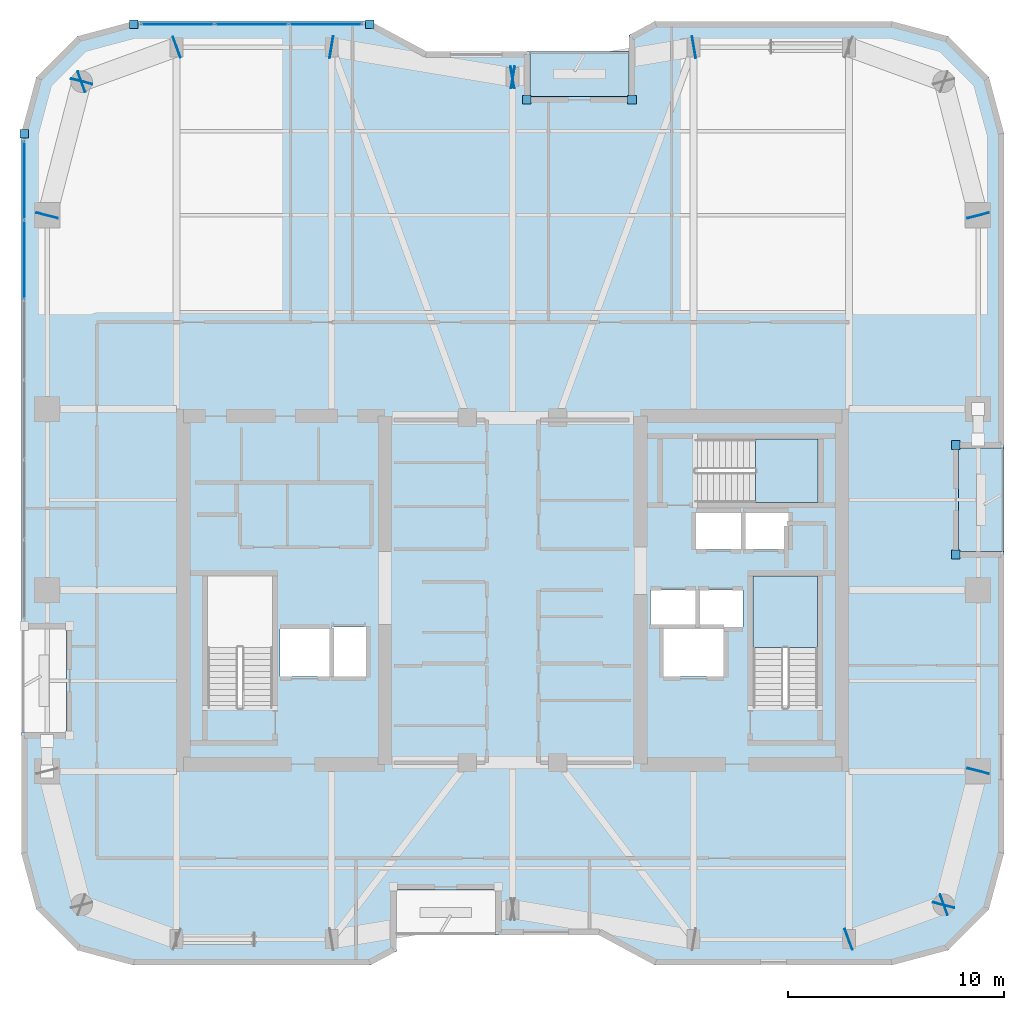
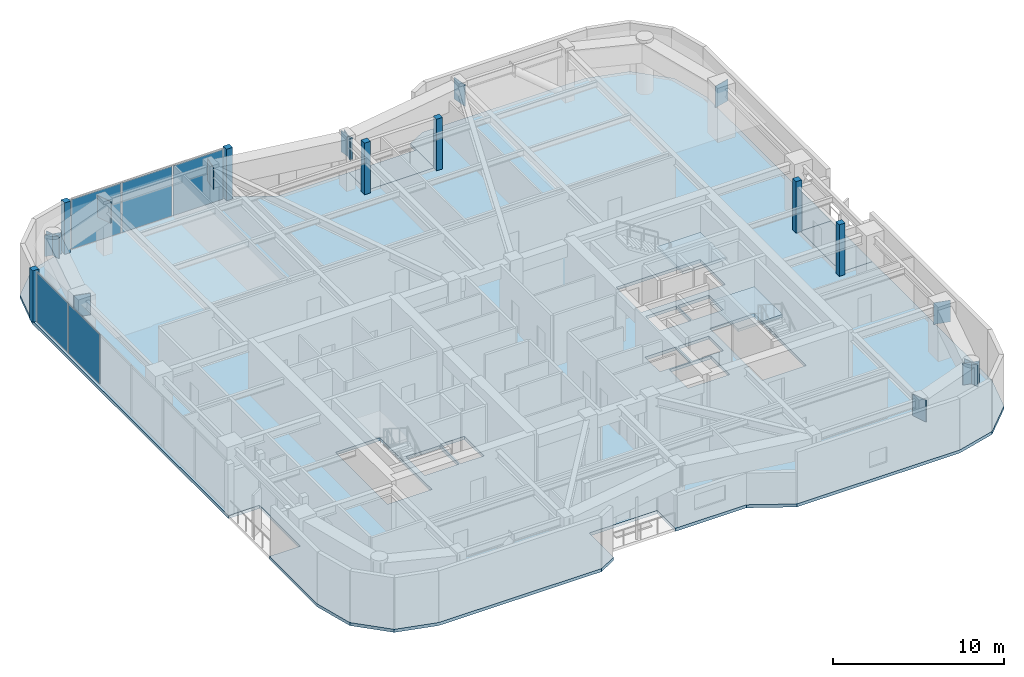
# One storey, part 13 of 21: 25 plates, 5 slabs, 4 elements without a shape of their own.
"""IFC4 building model written with IfcOpenShell, lengths in metres."""

from ifc_helpers import new_model, si_unit, direction, frame, origin, origin_2d, place, context, subcontext, project, spatial, polyline, rectangle, outline, extrude, material, layer, layer_set, type_object, element, aggregate, save


model = new_model("IFC4")

# Units and contexts
model_context = context("Model", 3, precision=1e-05, world=origin(), true_north=direction((0.0, 1.0)))
body_context = subcontext(model_context, "Body", "Model", "MODEL_VIEW")
ifc_project = project(units=[si_unit("LENGTHUNIT", "METRE"), si_unit("AREAUNIT", "SQUARE_METRE"), si_unit("VOLUMEUNIT", "CUBIC_METRE"), si_unit("PLANEANGLEUNIT", "RADIAN"), si_unit("MASSUNIT", "GRAM", prefix="KILO")], contexts=[model_context])

# Site, building, storey
site_placement = place(None, origin())
site = spatial("IfcSite", under=ifc_project, at=site_placement, CompositionType="ELEMENT")
building_placement = place(site_placement, origin())
building = spatial("IfcBuilding", under=site, at=building_placement, Name="Kiyonajd Concourse Tower", CompositionType="ELEMENT")
storey_placement = place(building_placement, frame((0.0, 0.0, 223.199951171875)))
storey = spatial("IfcBuildingStorey", under=building, at=storey_placement, Name="L56", CompositionType="ELEMENT", Elevation=223.199951171875)

# Plates
ifc_material_1 = material(Name="Steel ASTM A572 Grade 50", Category="steel")
ifc_layer_1 = layer(ifc_material_1, 0.031982421875)
ifc_layer_set_1 = layer_set([ifc_layer_1], Name="Steel ASTM A572 Grade 50")
plate_type_1 = type_object("IfcPlateType", Name="PL-CAP-540", PredefinedType="USERDEFINED", material=ifc_layer_set_1)
for number, where, z_axis, x_axis, name in (
    (1, (63.589599609375, 19.796142578125, 2.2099609375), (0.0, 0.0, 1.0), (-0.939811951086, -0.341692107891, 0.0), "L56 Welded Box Girder End Cap"),
    (2, (68.01025390625, 21.40380859375, 2.2099609375), (0.0, 0.0, 1.0), (0.939811951086, 0.341692107891, 0.0), "L56 Welded Box Girder End Cap"),
    (3, (67.997314453125, 21.389404296875, 2.2099609375), (0.0, 0.0, 1.0), (-0.249873048837, -0.968278606324, 0.0), "L56 Welded Box Girder End Cap"),
    (4, (69.602783203125, 27.610595703125, 2.2099609375), (0.0, 0.0, 1.0), (0.249873048837, 0.968278606324, 0.0), "L56 Welded Box Girder End Cap"),
    (5, (69.602783203125, 53.389404296875, 2.2099609375), (0.0, 0.0, 1.0), (0.249873048837, -0.968278606324, 0.0), "L56 Welded Box Girder End Cap"),
    (6, (56.410888671875, 61.201904296875, 2.2099609375), (0.0, 0.0, 1.0), (0.986400586142, 0.164359008451, 0.0), "L56 Welded Box Girder End Cap"),
    (7, (47.989013671875, 59.798095703125, 2.2099609375), (0.0, 0.0, 1.0), (-0.986400586142, -0.164359008451, 0.0), "L56 Welded Box Girder End Cap"),
    (8, (48.010986328125, 59.798095703125, 2.2099609375), (0.0, 0.0, 1.0), (0.986400586142, -0.164359008451, 0.0), "L56 Welded Box Girder End Cap"),
    (9, (39.589111328125, 61.201904296875, 2.2099609375), (0.0, 0.0, 1.0), (-0.986400586142, 0.164359008451, 0.0), "L56 Welded Box Girder End Cap"),
    (10, (32.410400390625, 61.203857421875, 2.2099609375), (0.0, 0.0, 1.0), (0.939811951086, 0.341692107891, 0.0), "L56 Welded Box Girder End Cap"),
    (11, (27.98974609375, 59.59619140625, 2.2099609375), (0.0, 0.0, 1.0), (-0.939811951086, -0.341692107891, 0.0), "L56 Welded Box Girder End Cap"),
    (12, (28.002685546875, 59.610595703125, 2.2099609375), (0.0, 0.0, 1.0), (0.249873048837, 0.968278606324, 0.0), "L56 Welded Box Girder End Cap"),
    (13, (26.397216796875, 53.389404296875, 2.2099609375), (0.0, 0.0, 1.0), (-0.249873048837, -0.968278606324, 0.0), "L56 Welded Box Girder End Cap"),
):
    element("IfcPlate", number, at=place(storey_placement, frame(where, z_axis=z_axis, x_axis=x_axis)), inside=storey, type_object=plate_type_1, Name=name, ObjectType="CAP PLATE", PredefinedType="USERDEFINED", context=body_context, shape_type="SweptSolid", body=[
        extrude(rectangle(XDim=0.035888671875, YDim=1.02001953125, at=origin_2d()), origin(), (0.0, 0.0, 1.0), 1.5400390625),
    ])

# Curtain wall, plates
ifc_material_2 = material(Name="Thermally Broken Anodised Aluminium", Category="aluminium")
ifc_layer_2 = layer(ifc_material_2, 0.179931640625)
ifc_layer_set_2 = layer_set([ifc_layer_2], Name="Thermally Broken Anodised Aluminium")
curtain_wall_type = type_object("IfcCurtainWallType", Name="CW-SYS-04", PredefinedType="NOTDEFINED", material=ifc_layer_set_2)
curtain_wall_1_placement = place(storey_placement, origin())
curtain_wall_1 = element("IfcCurtainWall", 14, at=curtain_wall_1_placement, inside=storey, type_object=curtain_wall_type, Name="L56 Unitised Curtain Wall CW4", PredefinedType="NOTDEFINED")
ifc_material_3 = material(Name="Double Low-E Insulated Glass", Category="glass")
ifc_layer_3 = layer(ifc_material_3, 0.033935546875)
ifc_layer_set_3 = layer_set([ifc_layer_3], Name="Double Low-E Insulated Glass")
plate_type_2 = type_object("IfcPlateType", Name="PL-CW-VIS34", PredefinedType="CURTAIN_PANEL", material=ifc_layer_set_3)
plate_1_placement = place(storey_placement, frame((25.340087890625, 51.326171875, 0.06494140625), z_axis=(0.0, 0.0, 1.0), x_axis=(0.0, 1.0, 0.0)))
plate_1 = element("IfcPlate", 15, at=plate_1_placement, type_object=plate_type_2, Name="CW4 panel 5.1", PredefinedType="CURTAIN_PANEL", context=body_context, shape_type="SweptSolid", body=[
    extrude(rectangle(XDim=3.645263671875, YDim=0.033935546875, at=origin_2d()), origin(), (0.0, 0.0, 1.0), 3.550048828125),
])
plate_2_placement = place(storey_placement, frame((25.340087890625, 55.020263671875, 0.06494140625), z_axis=(0.0, 0.0, 1.0), x_axis=(0.0, 1.0, 0.0)))
plate_2 = element("IfcPlate", 16, at=plate_2_placement, type_object=plate_type_2, Name="CW4 panel 6.1", PredefinedType="CURTAIN_PANEL", context=body_context, shape_type="SweptSolid", body=[
    extrude(rectangle(XDim=3.61279296875, YDim=0.033935546875, at=origin_2d()), origin(), (0.0, 0.0, 1.0), 3.550048828125),
])
aggregate(curtain_wall_1, [plate_1, plate_2])

curtain_wall_2_placement = place(storey_placement, origin())
curtain_wall_2 = element("IfcCurtainWall", 17, at=curtain_wall_2_placement, inside=storey, type_object=curtain_wall_type, Name="L56 Unitised Curtain Wall CW4", PredefinedType="NOTDEFINED")
plate_3_placement = place(storey_placement, frame((32.452392578125, 62.260009765625, 0.06494140625), z_axis=(0.0, 0.0, 1.0), x_axis=(1.0, 0.0, 0.0)))
plate_3 = element("IfcPlate", 18, at=plate_3_placement, type_object=plate_type_2, Name="CW4 panel 1.1", PredefinedType="CURTAIN_PANEL", context=body_context, shape_type="SweptSolid", body=[
    extrude(rectangle(XDim=3.35791015625, YDim=0.033935546875, at=origin_2d()), origin(), (0.0, 0.0, 1.0), 3.550048828125),
])
plate_4_placement = place(storey_placement, frame((35.8916015625, 62.260009765625, 0.06494140625), z_axis=(0.0, 0.0, 1.0), x_axis=(1.0, 0.0, 0.0)))
plate_4 = element("IfcPlate", 19, at=plate_4_placement, type_object=plate_type_2, Name="CW4 panel 2.1", PredefinedType="CURTAIN_PANEL", context=body_context, shape_type="SweptSolid", body=[
    extrude(rectangle(XDim=3.390380859375, YDim=0.033935546875, at=origin_2d()), origin(), (0.0, 0.0, 1.0), 3.550048828125),
])
plate_5_placement = place(storey_placement, frame((39.330810546875, 62.260009765625, 0.06494140625), z_axis=(0.0, 0.0, 1.0), x_axis=(1.0, 0.0, 0.0)))
plate_5 = element("IfcPlate", 20, at=plate_5_placement, type_object=plate_type_2, Name="CW4 panel 3.1", PredefinedType="CURTAIN_PANEL", context=body_context, shape_type="SweptSolid", body=[
    extrude(rectangle(XDim=3.35791015625, YDim=0.033935546875, at=origin_2d()), origin(), (0.0, 0.0, 1.0), 3.550048828125),
])
aggregate(curtain_wall_2, [plate_3, plate_4, plate_5])

# Plates
ifc_layer_4 = layer(ifc_material_2, 0.39990234375)
ifc_layer_set_4 = layer_set([ifc_layer_4], Name="Thermally Broken Anodised Aluminium")
plate_type_3 = type_object("IfcPlateType", Name="PL-JMB-400", PredefinedType="USERDEFINED", material=ifc_layer_set_4)
for number, where, z_axis, x_axis, name in (
    (21, (25.340087890625, 57.181640625, 0.0), (0.0, 0.0, 1.0), (1.0, 0.0, 0.0), "L56 Facade Jamb Closure Plate 04"),
    (22, (30.41845703125, 62.260009765625, 0.0), (0.0, 0.0, 1.0), (1.0, 0.0, 0.0), "L56 Facade Jamb Closure Plate 05"),
    (23, (41.36474609375, 62.260009765625, 0.0), (0.0, 0.0, 1.0), (1.0, 0.0, 0.0), "L56 Facade Jamb Closure Plate 06"),
    (24, (48.659912109375, 58.760009765625, 0.0), (0.0, 0.0, 1.0), (1.0, 0.0, 0.0), "L56 Facade Jamb Closure Plate 07"),
    (25, (53.5400390625, 58.760009765625, 0.0), (0.0, 0.0, 1.0), (1.0, 0.0, 0.0), "L56 Facade Jamb Closure Plate 08"),
    (26, (68.56005859375, 42.739990234375, 0.0), (0.0, 0.0, 1.0), (1.0, 0.0, 0.0), "L56 Facade Jamb Closure Plate 09"),
    (27, (68.56005859375, 37.659912109375, 0.0), (0.0, 0.0, 1.0), (1.0, 0.0, 0.0), "L56 Facade Jamb Closure Plate 10"),
):
    element("IfcPlate", number, at=place(storey_placement, frame(where, z_axis=z_axis, x_axis=x_axis)), inside=storey, type_object=plate_type_3, Name=name, ObjectType="JAMB PLATE", PredefinedType="USERDEFINED", context=body_context, shape_type="SweptSolid", body=[
        extrude(rectangle(XDim=0.39990234375, YDim=0.39990234375, at=origin_2d()), origin(), (0.0, 0.0, 1.0), 3.679931640625),
    ])

# Stair, slab
ifc_material_4 = material(Name="Concrete C40/50", Category="concrete")
stair_type = type_object("IfcStairType", Name="ST-DLG-22R", PredefinedType="HALF_TURN_STAIR", material=ifc_material_4)
stair_1_placement = place(storey_placement, origin())
stair_1 = element("IfcStair", 28, at=stair_1_placement, inside=storey, type_object=stair_type, Name="L56 Protected Exit Stair ST2", PredefinedType="HALF_TURN_STAIR")
ifc_layer_5 = layer(ifc_material_4, 0.199951171875)
ifc_layer_set_5 = layer_set([ifc_layer_5], Name="Concrete C40/50")
slab_type_1 = type_object("IfcSlabType", Name="SL-LND-200", PredefinedType="LANDING", material=ifc_layer_set_5)
slab_1_placement = place(storey_placement, frame((0.0, 0.0, 1.75)))
slab_1 = element("IfcSlab", 29, at=slab_1_placement, type_object=slab_type_1, Name="ST2 landing 1", PredefinedType="LANDING", context=body_context, shape_type="SweptSolid", body=[
    extrude(outline(polyline([(62.14990234375, 33.35009765625), (62.14990234375, 36.64990234375), (59.14990234375, 36.64990234375), (59.14990234375, 33.35009765625), (62.14990234375, 33.35009765625)])), origin(), (0.0, 0.0, 1.0), 0.199951171875),
])
aggregate(stair_1, [slab_1])

stair_2_placement = place(storey_placement, origin())
stair_2 = element("IfcStair", 30, at=stair_2_placement, inside=storey, type_object=stair_type, Name="L56 Protected Exit Stair ST3", PredefinedType="HALF_TURN_STAIR")
slab_2_placement = place(storey_placement, frame((0.0, 0.0, 1.75)))
slab_2 = element("IfcSlab", 31, at=slab_2_placement, type_object=slab_type_1, Name="ST3 landing 1", PredefinedType="LANDING", context=body_context, shape_type="SweptSolid", body=[
    extrude(outline(polyline([(59.280029296875, 40.080078125), (62.179931640625, 40.080078125), (62.179931640625, 43.02001953125), (59.280029296875, 43.02001953125), (59.280029296875, 40.080078125)])), origin(), (0.0, 0.0, 1.0), 0.199951171875),
])
aggregate(stair_2, [slab_2])

# Slabs
ifc_material_5 = material(Name="Precast concrete C50/60", Category="concrete")
ifc_layer_6 = layer(ifc_material_5, 0.199951171875)
ifc_layer_set_6 = layer_set([ifc_layer_6], Name="Precast concrete C50/60")
slab_type_2 = type_object("IfcSlabType", Name="SL-LOG-200", PredefinedType="FLOOR", material=ifc_layer_set_6)
slab_3_placement = place(storey_placement, frame((0.0, 0.0, -0.199951171875)))
element("IfcSlab", 32, at=slab_3_placement, inside=storey, type_object=slab_type_2, Name="L56 Recessed Engawa Loggia Terrace Slab LOG-N", PredefinedType="FLOOR", context=body_context, shape_type="SweptSolid", body=[
    extrude(outline(polyline([(48.800048828125, 58.89990234375), (53.39990234375, 58.89990234375), (53.39990234375, 61.0), (48.800048828125, 61.0), (48.800048828125, 58.89990234375)])), origin(), (0.0, 0.0, 1.0), 0.199951171875),
])
slab_4_placement = place(storey_placement, frame((0.0, 0.0, -0.199951171875)))
element("IfcSlab", 33, at=slab_4_placement, inside=storey, type_object=slab_type_2, Name="L56 Recessed Engawa Loggia Terrace Slab LOG-E", PredefinedType="FLOOR", context=body_context, shape_type="SweptSolid", body=[
    extrude(outline(polyline([(68.699951171875, 37.800048828125), (70.800048828125, 37.800048828125), (70.800048828125, 42.60009765625), (68.699951171875, 42.60009765625), (68.699951171875, 37.800048828125)])), origin(), (0.0, 0.0, 1.0), 0.199951171875),
])
ifc_layer_7 = layer(ifc_material_4, 0.219970703125)
ifc_layer_set_7 = layer_set([ifc_layer_7], Name="Concrete C40/50")
slab_type_3 = type_object("IfcSlabType", Name="SL-TWR-220", PredefinedType="FLOOR", material=ifc_layer_set_7)
slab_5_placement = place(storey_placement, frame((0.0, 0.0, -0.219970703125)))
element("IfcSlab", 34, at=slab_5_placement, inside=storey, type_object=slab_type_3, Name="L56 Tower Conditioned Floor Slab", PredefinedType="FLOOR", context=body_context, shape_type="SweptSolid", body=[
    extrude(outline(polyline([(25.89697265625, 21.199951171875), (25.199951171875, 23.800048828125), (25.199951171875, 29.39990234375), (27.300048828125, 29.39990234375), (27.300048828125, 34.199951171875), (25.199951171875, 34.199951171875), (25.199951171875, 57.199951171875), (25.89697265625, 59.800048828125), (27.800048828125, 61.702880859375), (30.39990234375, 62.39990234375), (41.39990234375, 62.39990234375), (44.0, 61.0), (48.800048828125, 61.0), (48.800048828125, 58.89990234375), (53.39990234375, 58.89990234375), (53.39990234375, 61.75390625), (54.60009765625, 62.39990234375), (65.60009765625, 62.39990234375), (68.199951171875, 61.702880859375), (70.10302734375, 59.800048828125), (70.800048828125, 57.199951171875), (70.800048828125, 42.60009765625), (68.699951171875, 42.60009765625), (68.699951171875, 37.800048828125), (70.800048828125, 37.800048828125), (70.800048828125, 23.800048828125), (70.10302734375, 21.199951171875), (68.199951171875, 19.297119140625), (65.60009765625, 18.60009765625), (54.60009765625, 18.60009765625), (52.0, 20.0), (47.199951171875, 20.0), (47.199951171875, 22.10009765625), (42.60009765625, 22.10009765625), (42.60009765625, 19.24609375), (41.39990234375, 18.60009765625), (30.39990234375, 18.60009765625), (27.800048828125, 19.297119140625), (25.89697265625, 21.199951171875)]), holes=[polyline([(39.5, 32.0), (37.199951171875, 32.0), (37.199951171875, 34.199951171875), (39.5, 34.199951171875), (39.5, 32.0)]), polyline([(57.800048828125, 32.0), (55.0, 32.0), (55.0, 34.199951171875), (57.800048828125, 34.199951171875), (57.800048828125, 32.0)]), polyline([(41.199951171875, 32.0), (39.60009765625, 32.0), (39.60009765625, 34.300048828125), (41.199951171875, 34.300048828125), (41.199951171875, 32.0)]), polyline([(33.85009765625, 30.550048828125), (33.85009765625, 36.64990234375), (36.85009765625, 36.64990234375), (36.85009765625, 30.550048828125), (33.85009765625, 30.550048828125)]), polyline([(59.14990234375, 30.550048828125), (59.14990234375, 36.64990234375), (62.14990234375, 36.64990234375), (62.14990234375, 30.550048828125), (59.14990234375, 30.550048828125)]), polyline([(56.5, 34.300048828125), (54.39990234375, 34.300048828125), (54.39990234375, 36.0), (56.5, 36.0), (56.5, 34.300048828125)]), polyline([(58.699951171875, 34.300048828125), (56.60009765625, 34.300048828125), (56.60009765625, 36.0), (58.699951171875, 36.0), (58.699951171875, 34.300048828125)]), polyline([(58.60009765625, 37.89990234375), (56.5, 37.89990234375), (56.5, 39.60009765625), (58.60009765625, 39.60009765625), (58.60009765625, 37.89990234375)]), polyline([(58.699951171875, 37.89990234375), (58.699951171875, 39.60009765625), (60.800048828125, 39.60009765625), (60.800048828125, 37.89990234375), (58.699951171875, 37.89990234375)]), polyline([(56.47998046875, 43.02001953125), (62.179931640625, 43.02001953125), (62.179931640625, 40.080078125), (56.47998046875, 40.080078125), (56.47998046875, 43.02001953125)])]), origin(), (0.0, 0.0, 1.0), 0.219970703125),
])

save(model, "model.ifc")
